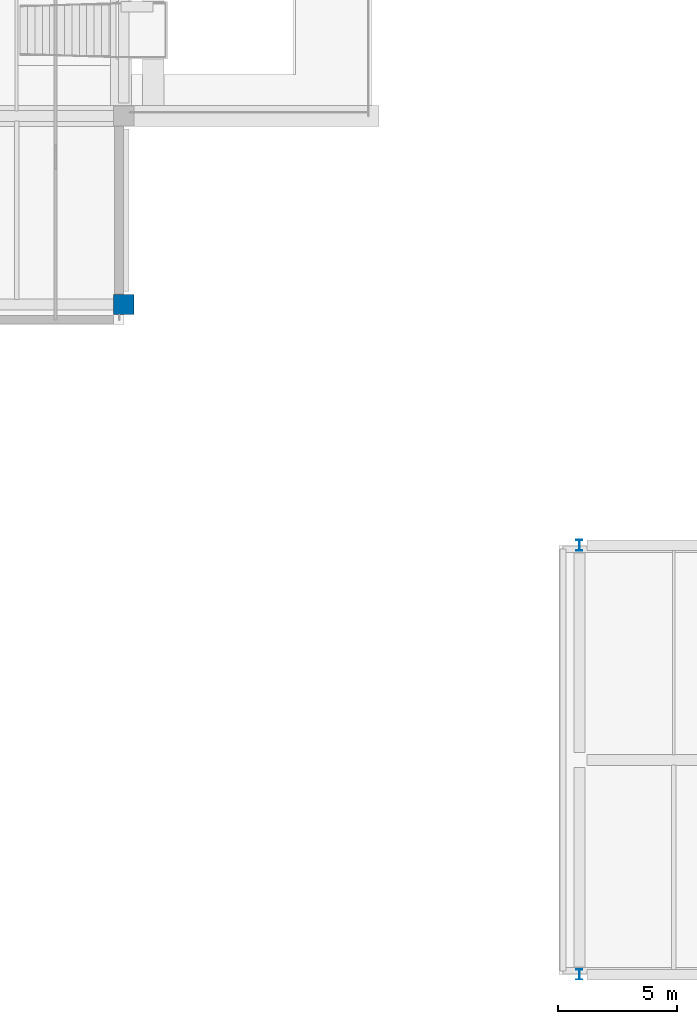
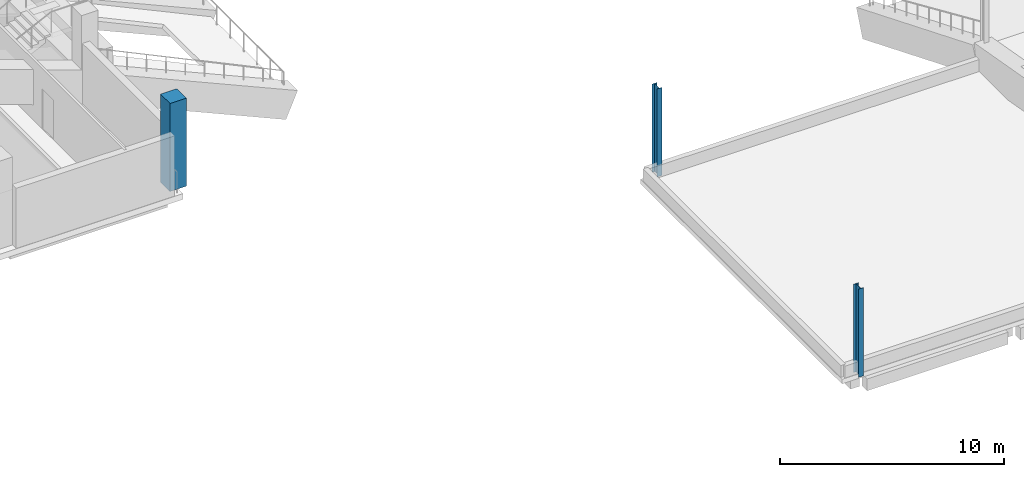
# One storey, part 2 of 66: 3 columns.
"""IFC4 building model written with IfcOpenShell, lengths in metres."""

from ifc_helpers import new_model, si_unit, direction, frame, origin, origin_2d, place, context, subcontext, project, spatial, rectangle, i_section, extrude, material, material_profile, profile_set, type_object, element, save


model = new_model("IFC4")

# Units and contexts
model_context = context("Model", 3, precision=1e-05, world=origin(), true_north=direction((0.0, 1.0)))
body_context = subcontext(model_context, "Body", "Model", "MODEL_VIEW")
ifc_project = project(units=[si_unit("LENGTHUNIT", "METRE"), si_unit("AREAUNIT", "SQUARE_METRE"), si_unit("VOLUMEUNIT", "CUBIC_METRE"), si_unit("PLANEANGLEUNIT", "RADIAN"), si_unit("MASSUNIT", "GRAM", prefix="KILO"), si_unit("THERMODYNAMICTEMPERATUREUNIT", "KELVIN"), si_unit("POWERUNIT", "WATT")], contexts=[model_context])

# Site, building, storey
site_placement = place(None, origin())
site = spatial("IfcSite", under=ifc_project, at=site_placement, CompositionType="ELEMENT")
building_placement = place(site_placement, origin())
building = spatial("IfcBuilding", under=site, at=building_placement, Name="Sindhuravela Promenade Stadium", CompositionType="ELEMENT")
storey_placement = place(building_placement, frame((0.0, 0.0, 19.199951171875)))
storey = spatial("IfcBuildingStorey", under=building, at=storey_placement, Name="L04", CompositionType="ELEMENT", Elevation=19.199951171875)

# Columns
ifc_material_1 = material(Name="Concrete M40", Category="concrete")
ifc_material_profile_1 = material_profile(ifc_material_1, rectangle(XDim=0.85009765625, YDim=0.85009765625, at=origin_2d()), Name="RC 850x850")
ifc_profile_set_1 = profile_set([ifc_material_profile_1], Name="Concrete M40")
column_type_1 = type_object("IfcColumnType", Name="RC-CL-850x850", PredefinedType="COLUMN", material=ifc_profile_set_1)
column_placement = place(storey_placement, frame((36.0, 37.10009765625, 0.0), z_axis=(0.0, 0.0, 1.0), x_axis=(1.0, 0.0, 0.0)))
element("IfcColumn", 1, at=column_placement, inside=storey, type_object=column_type_1, Name="Column C09 WEST L04", PredefinedType="COLUMN", context=body_context, shape_type="SweptSolid", body=[
    extrude(rectangle(XDim=0.85009765625, YDim=0.85009765625, at=origin_2d()), origin(), (0.0, 0.0, 1.0), 4.800048828125),
])
ifc_material_2 = material(Name="Steel E350 (IS 2062 E350BR)", Category="steel")
ifc_material_profile_2 = material_profile(ifc_material_2, i_section(OverallWidth=0.25, OverallDepth=0.449951171875, WebThickness=0.01123046875, FlangeThickness=0.013671875, FilletRadius=0.014892578125, at=origin_2d()), Name="ISHB 450")
ifc_profile_set_2 = profile_set([ifc_material_profile_2], Name="Steel E350 (IS 2062 E350BR)")
column_type_2 = type_object("IfcColumnType", Name="ST-CL-HB450", PredefinedType="COLUMN", material=ifc_profile_set_2)
for number, where, z_axis, x_axis, name in (
    (2, (55.10009765625, 9.0, 0.0), (0.0, 0.0, 1.0), (1.0, 0.0, 0.0), "Column SC03 SOUTH L04"),
    (3, (55.10009765625, 27.0, 0.0), (0.0, 0.0, 1.0), (1.0, 0.0, 0.0), "Column SC03 SOUTH L04"),
):
    element("IfcColumn", number, at=place(storey_placement, frame(where, z_axis=z_axis, x_axis=x_axis)), inside=storey, type_object=column_type_2, Name=name, PredefinedType="COLUMN", context=body_context, shape_type="SweptSolid", body=[
        extrude(i_section(OverallWidth=0.25, OverallDepth=0.449951171875, WebThickness=0.01123046875, FlangeThickness=0.013671875, FilletRadius=0.014892578125, at=origin_2d()), origin(), (0.0, 0.0, 1.0), 4.800048828125),
    ])

save(model, "model.ifc")
